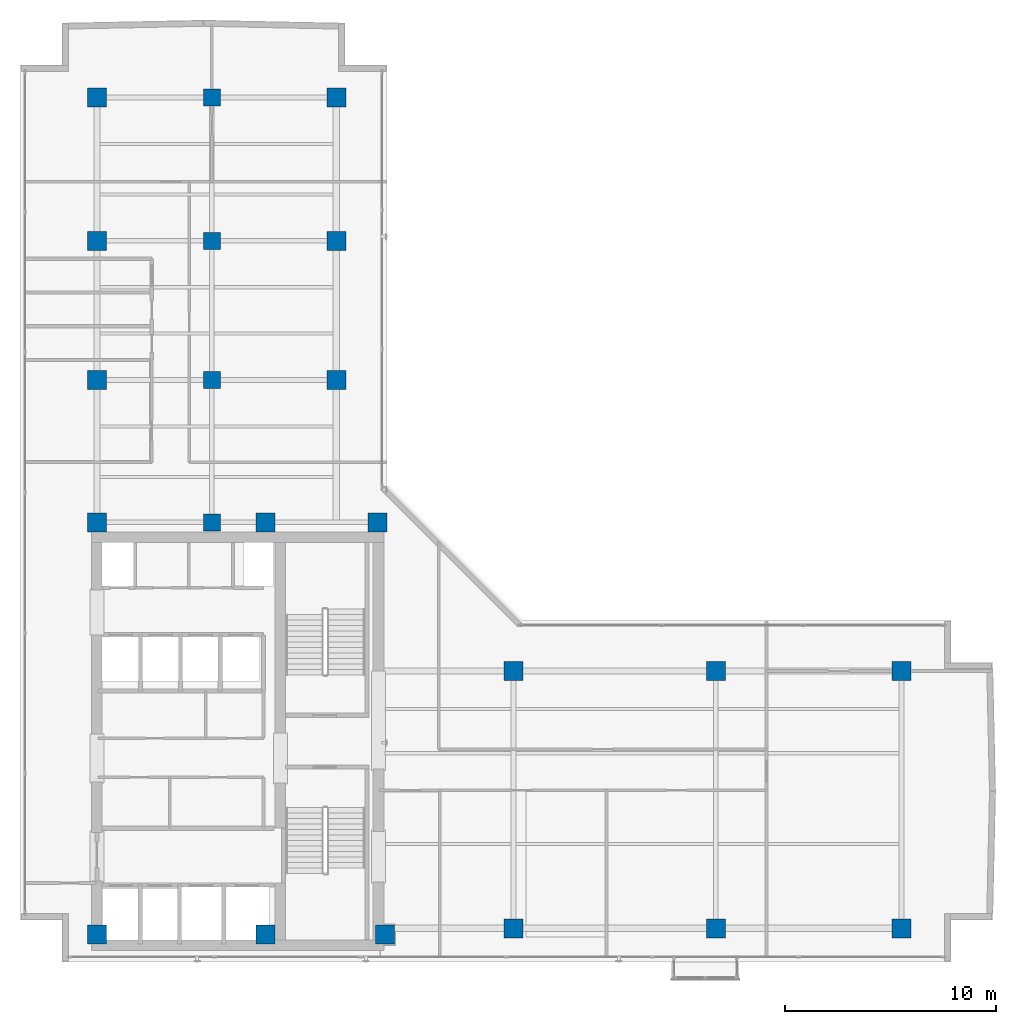
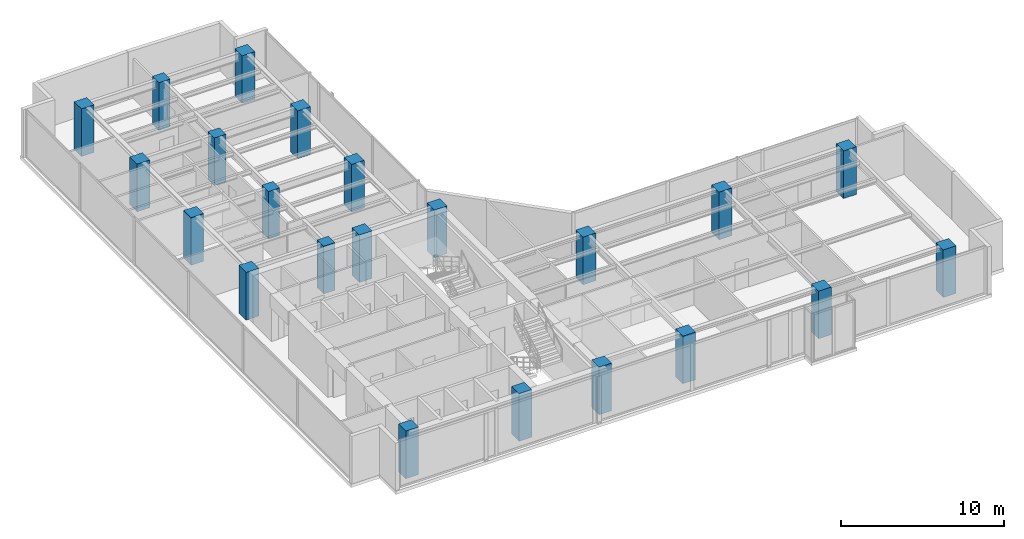
# One storey, part 1 of 24: 22 columns.
"""IFC4 building model written with IfcOpenShell, lengths in metres."""

from ifc_helpers import new_model, si_unit, direction, frame, origin, origin_2d, place, context, subcontext, project, spatial, rectangle, extrude, material, material_profile, profile_set, type_object, element, save


model = new_model("IFC4")

# Units and contexts
model_context = context("Model", 3, precision=1e-05, world=origin(), true_north=direction((0.0, 1.0)))
body_context = subcontext(model_context, "Body", "Model", "MODEL_VIEW")
ifc_project = project(units=[si_unit("LENGTHUNIT", "METRE"), si_unit("AREAUNIT", "SQUARE_METRE"), si_unit("VOLUMEUNIT", "CUBIC_METRE"), si_unit("PLANEANGLEUNIT", "RADIAN"), si_unit("MASSUNIT", "GRAM", prefix="KILO")], contexts=[model_context])

# Site, building, storey
site_placement = place(None, origin())
site = spatial("IfcSite", under=ifc_project, at=site_placement, CompositionType="ELEMENT")
building_placement = place(site_placement, origin())
building = spatial("IfcBuilding", under=site, at=building_placement, Name="Kolvaren Waterfront Exchange", CompositionType="ELEMENT")
storey_placement = place(building_placement, frame((0.0, 0.0, 331.199951171875)))
storey = spatial("IfcBuildingStorey", under=building, at=storey_placement, Name="L85", CompositionType="ELEMENT", Elevation=331.199951171875)

# Columns
ifc_material = material(Name="Concrete C50/60", Category="concrete")
ifc_material_profile_1 = material_profile(ifc_material, rectangle(XDim=0.800048828125, YDim=0.800048828125, at=origin_2d()), Name="RC-COL-800x800")
ifc_profile_set_1 = profile_set([ifc_material_profile_1], Name="Concrete C50/60")
column_type_1 = type_object("IfcColumnType", Name="STR-COL-800-C50", PredefinedType="COLUMN", material=ifc_profile_set_1)
for number, where, z_axis, x_axis, name in (
    (1, (12.89990234375, 24.449951171875, 0.0), (0.0, 0.0, 1.0), (1.0, 0.0, 0.0), "L85 column TC01"),
    (2, (12.89990234375, 31.199951171875, 0.0), (0.0, 0.0, 1.0), (1.0, 0.0, 0.0), "L85 column TC02"),
    (3, (12.89990234375, 37.800048828125, 0.0), (0.0, 0.0, 1.0), (1.0, 0.0, 0.0), "L85 column TC03"),
    (4, (12.89990234375, 44.60009765625, 0.0), (0.0, 0.0, 1.0), (1.0, 0.0, 0.0), "L85 column TC04"),
):
    element("IfcColumn", number, at=place(storey_placement, frame(where, z_axis=z_axis, x_axis=x_axis)), inside=storey, type_object=column_type_1, Name=name, PredefinedType="COLUMN", context=body_context, shape_type="SweptSolid", body=[
        extrude(rectangle(XDim=0.800048828125, YDim=0.800048828125, at=origin_2d()), origin(), (0.0, 0.0, 1.0), 3.56005859375),
    ])
ifc_material_profile_2 = material_profile(ifc_material, rectangle(XDim=0.89990234375, YDim=0.89990234375, at=origin_2d()), Name="RC-COL-900x900")
ifc_profile_set_2 = profile_set([ifc_material_profile_2], Name="Concrete C50/60")
column_type_2 = type_object("IfcColumnType", Name="STR-COL-900-C50", PredefinedType="COLUMN", material=ifc_profile_set_2)
for number, where, z_axis, x_axis, name in (
    (5, (7.449951171875, 4.89990234375, 0.0), (0.0, 0.0, 1.0), (1.0, 0.0, 0.0), "L85 column MC01"),
    (6, (15.449951171875, 4.89990234375, 0.0), (0.0, 0.0, 1.0), (1.0, 0.0, 0.0), "L85 column MC02"),
    (7, (21.10009765625, 4.89990234375, 0.0), (0.0, 0.0, 1.0), (1.0, 0.0, 0.0), "L85 column MC03"),
    (8, (7.449951171875, 24.449951171875, 0.0), (0.0, 0.0, 1.0), (1.0, 0.0, 0.0), "L85 column MC04"),
    (9, (15.449951171875, 24.449951171875, 0.0), (0.0, 0.0, 1.0), (1.0, 0.0, 0.0), "L85 column MC05"),
    (10, (20.75, 24.449951171875, 0.0), (0.0, 0.0, 1.0), (1.0, 0.0, 0.0), "L85 column MC06"),
    (11, (7.449951171875, 31.199951171875, 0.0), (0.0, 0.0, 1.0), (1.0, 0.0, 0.0), "L85 column NC01"),
    (12, (7.449951171875, 37.800048828125, 0.0), (0.0, 0.0, 1.0), (1.0, 0.0, 0.0), "L85 column NC02"),
    (13, (7.449951171875, 44.60009765625, 0.0), (0.0, 0.0, 1.0), (1.0, 0.0, 0.0), "L85 column NC03"),
    (14, (18.800048828125, 31.199951171875, 0.0), (0.0, 0.0, 1.0), (1.0, 0.0, 0.0), "L85 column NC04"),
    (15, (18.800048828125, 37.800048828125, 0.0), (0.0, 0.0, 1.0), (1.0, 0.0, 0.0), "L85 column NC05"),
    (16, (18.800048828125, 44.60009765625, 0.0), (0.0, 0.0, 1.0), (1.0, 0.0, 0.0), "L85 column NC06"),
    (17, (27.199951171875, 5.199951171875, 0.0), (0.0, 0.0, 1.0), (1.0, 0.0, 0.0), "L85 column EC01"),
    (18, (36.800048828125, 5.199951171875, 0.0), (0.0, 0.0, 1.0), (1.0, 0.0, 0.0), "L85 column EC02"),
    (19, (45.60009765625, 5.199951171875, 0.0), (0.0, 0.0, 1.0), (1.0, 0.0, 0.0), "L85 column EC03"),
    (20, (27.199951171875, 17.39990234375, 0.0), (0.0, 0.0, 1.0), (1.0, 0.0, 0.0), "L85 column EC04"),
    (21, (36.800048828125, 17.39990234375, 0.0), (0.0, 0.0, 1.0), (1.0, 0.0, 0.0), "L85 column EC05"),
    (22, (45.60009765625, 17.39990234375, 0.0), (0.0, 0.0, 1.0), (1.0, 0.0, 0.0), "L85 column EC06"),
):
    element("IfcColumn", number, at=place(storey_placement, frame(where, z_axis=z_axis, x_axis=x_axis)), inside=storey, type_object=column_type_2, Name=name, PredefinedType="COLUMN", context=body_context, shape_type="SweptSolid", body=[
        extrude(rectangle(XDim=0.89990234375, YDim=0.89990234375, at=origin_2d()), origin(), (0.0, 0.0, 1.0), 3.56005859375),
    ])

save(model, "model.ifc")
